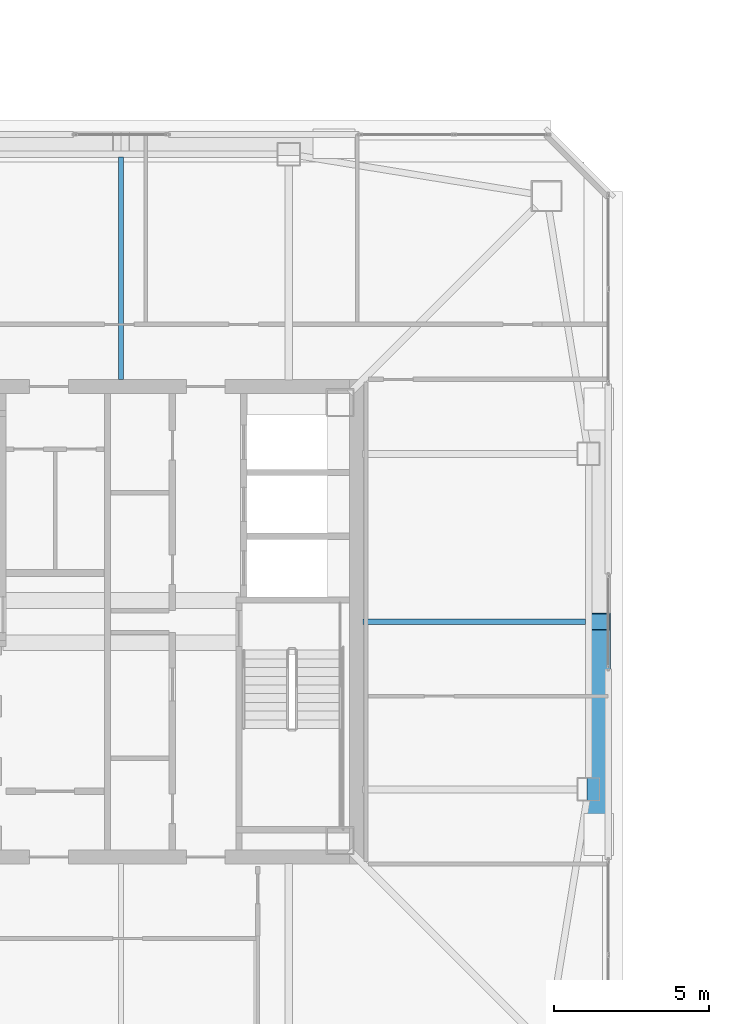
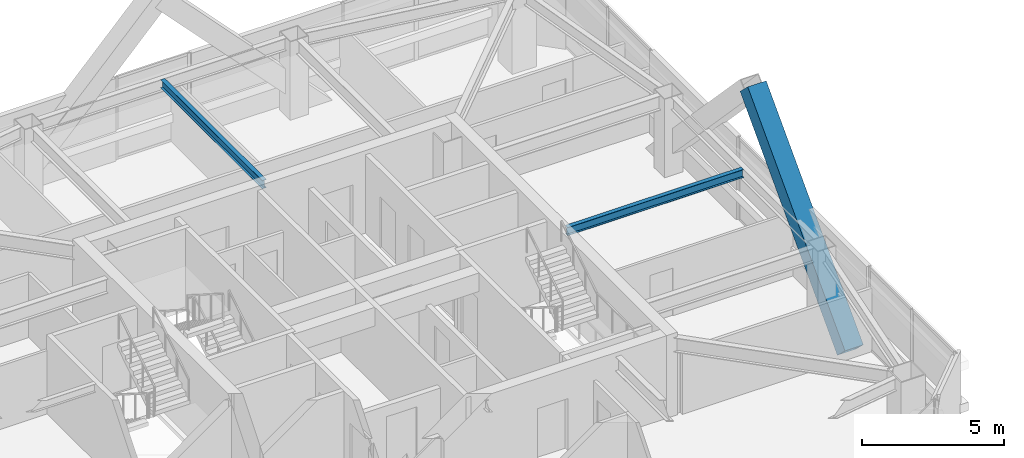
# One storey, part 11 of 39: 2 beams, 1 member.
"""IFC4 building model written with IfcOpenShell, lengths in metres."""

import ifcopenshell
import ifcopenshell.guid

model = None  # the IFC model being written
_history = None  # IfcOwnerHistory: only IFC2X3 demands one
_inside = {}  # id of a spatial element -> (the spatial element, [elements in it])
_under = {}  # id of a project, library or spatial element -> (it, [spatial elements below it])
_declared = {}  # id of a project -> (the project, [libraries it declares])
_typed = {}  # id of a type object -> (the type object, [elements of that type])
_made_of = {}  # id of a material, layer set ... -> (it, [elements and type objects made of it])


def new_model(schema):
    """Start an empty IFC model of exactly this schema.

    Asked for "IFC4X3", IfcOpenShell would pick the latest addendum, in which some entities
    have other attributes; the version numbers below select the first issue.
    IFC2X3 requires an IfcOwnerHistory on every rooted entity: one is made here for all.
    """
    global model, _history
    if schema == "IFC4X3":
        model = ifcopenshell.file(schema_version=(4, 3, 0, 0))
    else:
        model = ifcopenshell.file(schema=schema)
    _inside.clear()
    _under.clear()
    _declared.clear()
    _typed.clear()
    _made_of.clear()
    _history = None
    if model.schema == "IFC2X3":
        org = make("IfcOrganization", Name="unknown")
        user = make(
            "IfcPersonAndOrganization",
            ThePerson=make("IfcPerson", FamilyName="unknown"),
            TheOrganization=org,
        )
        app = make(
            "IfcApplication",
            ApplicationDeveloper=org,
            Version="unknown",
            ApplicationFullName="unknown",
            ApplicationIdentifier="unknown",
        )
        _history = make(
            "IfcOwnerHistory",
            OwningUser=user,
            OwningApplication=app,
            ChangeAction="ADDED",
            CreationDate=0,
        )
    return model


def make(cls, **values):
    """One entity of the class cls with the attributes given. An attribute that is None is left unset."""
    return model.create_entity(
        cls, **{name: value for name, value in values.items() if value is not None}
    )


def rooted(cls, **values):
    """An entity with a GlobalId (a new one), such as an element, a storey or a relation."""
    return make(cls, GlobalId=ifcopenshell.guid.new(), OwnerHistory=_history, **values)


def si_unit(unit_type, name, prefix=None):
    """IfcSIUnit, for example si_unit("LENGTHUNIT", "METRE", prefix="MILLI")."""
    return make("IfcSIUnit", UnitType=unit_type, Prefix=prefix, Name=name)


def assignment(units):
    """IfcUnitAssignment: the units of a project."""
    return None if units is None else make("IfcUnitAssignment", Units=units)


def point(xyz):
    """IfcCartesianPoint."""
    return None if xyz is None else make("IfcCartesianPoint", Coordinates=xyz)


def direction(xyz):
    """IfcDirection."""
    return None if xyz is None else make("IfcDirection", DirectionRatios=xyz)


def frame(location, z_axis=None, x_axis=None):
    """IfcAxis2Placement3D, a coordinate frame: its origin and axes. An axis left out is left unset."""
    return make(
        "IfcAxis2Placement3D",
        Location=point(location),
        Axis=direction(z_axis),
        RefDirection=direction(x_axis),
    )


def frame_2d(location, x_axis=None):
    """IfcAxis2Placement2D, a coordinate frame in the plane: its origin and x axis."""
    return make(
        "IfcAxis2Placement2D", Location=point(location), RefDirection=direction(x_axis)
    )


def origin():
    """The frame at (0, 0, 0) with its axes left unset."""
    return frame((0.0, 0.0, 0.0))


def origin_2d():
    """The frame at (0, 0) in the plane with its x axis left unset."""
    return frame_2d((0.0, 0.0))


def place(relative_to, where):
    """IfcLocalPlacement: puts the frame where relative to a parent placement (None: the world)."""
    return make(
        "IfcLocalPlacement", PlacementRelTo=relative_to, RelativePlacement=where
    )


def context(
    kind, dimensions, precision=None, world=None, true_north=None, identifier=None
):
    """IfcGeometricRepresentationContext, for example the 3D "Model" context."""
    return make(
        "IfcGeometricRepresentationContext",
        ContextIdentifier=identifier,
        ContextType=kind,
        CoordinateSpaceDimension=dimensions,
        Precision=precision,
        WorldCoordinateSystem=world,
        TrueNorth=true_north,
    )


def subcontext(parent, identifier, kind, view, scale=None):
    """IfcGeometricRepresentationSubContext, for example "Body" below "Model"."""
    return make(
        "IfcGeometricRepresentationSubContext",
        ContextIdentifier=identifier,
        ContextType=kind,
        ParentContext=parent,
        TargetScale=scale,
        TargetView=view,
    )


def project(units=None, contexts=None):
    """IfcProject with its units and contexts."""
    return rooted(
        "IfcProject",
        Name="project",
        RepresentationContexts=contexts,
        UnitsInContext=assignment(units),
    )


def spatial(cls, under=None, at=None, **own):
    """A site, building, storey or space (cls), placed at a placement, below another one or the project."""
    s = rooted(cls, ObjectPlacement=at, **own)
    if under is not None:
        _under.setdefault(under.id(), (under, []))[1].append(s)
    return s


def profile(cls, at=None, kind="AREA", **sizes):
    """A parametric profile (cls). Its sizes go by their IFC names, for example OverallWidth=200.0."""
    return make(cls, ProfileType=kind, Position=at, **sizes)


def hollow_rectangle(**sizes):
    """IfcRectangleHollowProfileDef."""
    return profile("IfcRectangleHollowProfileDef", **sizes)


def i_section(**sizes):
    """IfcIShapeProfileDef."""
    return profile("IfcIShapeProfileDef", **sizes)


def extrude(swept, where, along, depth):
    """IfcExtrudedAreaSolid: the profile swept, set in the frame where, extruded along a direction by depth."""
    return make(
        "IfcExtrudedAreaSolid",
        SweptArea=swept,
        Position=where,
        ExtrudedDirection=direction(along),
        Depth=depth,
    )


def shape(context_of_items, identifier, shape_type, items):
    """IfcShapeRepresentation: the items that make up one representation, for example the "Body"."""
    return make(
        "IfcShapeRepresentation",
        ContextOfItems=context_of_items,
        RepresentationIdentifier=identifier,
        RepresentationType=shape_type,
        Items=items,
    )


def material(Name=None, Category=None):
    """IfcMaterial."""
    return make("IfcMaterial", Name=Name, Category=Category)


def material_profile(
    of_material, cross_section, Name=None, Category=None, Priority=None
):
    """IfcMaterialProfile: a cross section and its material."""
    return make(
        "IfcMaterialProfile",
        Name=Name,
        Material=of_material,
        Profile=cross_section,
        Priority=Priority,
        Category=Category,
    )


def profile_set(profiles, Name=None, composite=None):
    """IfcMaterialProfileSet."""
    return make(
        "IfcMaterialProfileSet",
        Name=Name,
        MaterialProfiles=profiles,
        CompositeProfile=composite,
    )


def made_of(thing, what):
    """Note that an element or type object is made of a material, layer set ...; save() writes the relation."""
    if what is not None:
        _made_of.setdefault(what.id(), (what, []))[1].append(thing)
    return thing


def type_object(cls, material=None, **own):
    """A type object (cls), such as IfcWallType, which elements share."""
    return made_of(rooted(cls, **own), material)


def element(
    cls,
    number,
    at=None,
    inside=None,
    cuts=None,
    type_object=None,
    material=None,
    context=None,
    identifier="Body",
    shape_type=None,
    held_by="IfcProductDefinitionShape",
    body=None,
    shapes=None,
    **own,
):
    """One element of the class cls, such as IfcWall. Its Tag is "e" and its number.

    at: its placement. inside: the storey or other place that contains it. cuts: it is an
    opening in that element (IfcRelVoidsElement). A single representation is given by context,
    identifier, shape_type and body (its items); several are given by shapes. held_by: the class
    of the entity that holds the representations. save() writes the other relations.
    """
    e = rooted(cls, Tag="e%d" % number, ObjectPlacement=at, **own)
    if body is not None:
        shapes = [shape(context, identifier, shape_type, body)]
    if shapes is not None:
        e.Representation = make(held_by, Representations=shapes)
    if inside is not None:
        _inside.setdefault(inside.id(), (inside, []))[1].append(e)
    if cuts is not None:
        rooted(
            "IfcRelVoidsElement", RelatingBuildingElement=cuts, RelatedOpeningElement=e
        )
    if type_object is not None:
        _typed.setdefault(type_object.id(), (type_object, []))[1].append(e)
    return made_of(e, material)


def aggregate(whole, parts):
    """IfcRelAggregates: a whole, such as a stair, and the parts it consists of."""
    return rooted("IfcRelAggregates", RelatingObject=whole, RelatedObjects=parts)


def save(model, path):
    """Write the relations noted so far, then the file.

    IfcRelAggregates (storeys below a building ...), IfcRelContainedInSpatialStructure (elements
    in a storey), IfcRelDefinesByType, IfcRelAssociatesMaterial and IfcRelDeclares: one each for
    every whole, place, type object, material and project.
    """
    for whole, parts in _under.values():
        aggregate(whole, parts)
    for where, things in _inside.values():
        rooted(
            "IfcRelContainedInSpatialStructure",
            RelatedElements=things,
            RelatingStructure=where,
        )
    for kind, things in _typed.values():
        rooted("IfcRelDefinesByType", RelatedObjects=things, RelatingType=kind)
    for what, things in _made_of.values():
        rooted("IfcRelAssociatesMaterial", RelatedObjects=things, RelatingMaterial=what)
    for by, libraries in _declared.values():
        rooted("IfcRelDeclares", RelatingContext=by, RelatedDefinitions=libraries)
    model.write(path)


model = new_model("IFC4")

# Units and contexts
model_context = context("Model", 3, precision=1e-05, world=origin(), true_north=direction((0.0, 1.0)))
body_context = subcontext(model_context, "Body", "Model", "MODEL_VIEW")
ifc_project = project(units=[si_unit("LENGTHUNIT", "METRE"), si_unit("AREAUNIT", "SQUARE_METRE"), si_unit("VOLUMEUNIT", "CUBIC_METRE"), si_unit("PLANEANGLEUNIT", "RADIAN"), si_unit("MASSUNIT", "GRAM", prefix="KILO")], contexts=[model_context])

# Site, building, storey
site_placement = place(None, origin())
site = spatial("IfcSite", under=ifc_project, at=site_placement, CompositionType="ELEMENT")
building_placement = place(site_placement, origin())
building = spatial("IfcBuilding", under=site, at=building_placement, Name="Tashvorn Skyway Center", CompositionType="ELEMENT")
storey_placement = place(building_placement, frame((0.0, 0.0, 239.699951171875)))
storey = spatial("IfcBuildingStorey", under=building, at=storey_placement, Name="L65", CompositionType="ELEMENT", Elevation=239.699951171875)

# Beams
ifc_material_1 = material(Name="Steel ASTM A992 Grade 50", Category="steel")
ifc_material_profile_1 = material_profile(ifc_material_1, i_section(OverallWidth=0.1708984375, OverallDepth=0.35498046875, WebThickness=0.007080078125, FlangeThickness=0.01171875, at=origin_2d()), Name="W14X34")
ifc_profile_set_1 = profile_set([ifc_material_profile_1], Name="Steel ASTM A992 Grade 50")
beam_type = type_object("IfcBeamType", Name="BM-JOIST-W14X34", PredefinedType="JOIST", material=ifc_profile_set_1)
for number, where, z_axis, x_axis, name in (
    (1, (42.0, 39.7900390625, 3.192626953125), (0.0, 1.0, 0.0), (-1.0, 0.0, 0.0), "Tower 1 L65 Secondary Composite Joist JN"),
    (2, (49.7900390625, 32.0, 3.192626953125), (1.0, 0.0, 0.0), (0.0, 1.0, 0.0), "Tower 1 L65 Secondary Composite Joist JE"),
):
    element("IfcBeam", number, at=place(storey_placement, frame(where, z_axis=z_axis, x_axis=x_axis)), inside=storey, type_object=beam_type, Name=name, PredefinedType="JOIST", context=body_context, shape_type="SweptSolid", body=[
        extrude(i_section(OverallWidth=0.1708984375, OverallDepth=0.35498046875, WebThickness=0.007080078125, FlangeThickness=0.01171875, at=origin_2d()), origin(), (0.0, 0.0, 1.0), 7.162353515625),
    ])

# Member
ifc_material_2 = material(Name="Steel ASTM A572 Grade 50", Category="steel")
ifc_material_profile_2 = material_profile(ifc_material_2, hollow_rectangle(XDim=0.75, YDim=0.75, WallThickness=0.031982421875, at=origin_2d()), Name="BOX750x750x32")
ifc_profile_set_2 = profile_set([ifc_material_profile_2], Name="Steel ASTM A572 Grade 50")
member_type = type_object("IfcMemberType", Name="MEM-MB-750", PredefinedType="BRACE", material=ifc_profile_set_2)
member_placement = place(storey_placement, frame((57.3798828125, 25.14990234375, -0.449951171875), z_axis=(0.0, 0.689285797105, 0.724489537474), x_axis=(-1.0, 0.0, 0.0)))
element("IfcMember", 3, at=member_placement, inside=storey, type_object=member_type, Name="Tower 1 Zone 6 E Chevron Mega-Brace L2", PredefinedType="BRACE", context=body_context, shape_type="SweptSolid", body=[
    extrude(hollow_rectangle(XDim=0.75, YDim=0.75, WallThickness=0.031982421875, at=origin_2d()), origin(), (0.0, 0.0, 1.0), 9.93798828125),
])

save(model, "model.ifc")
